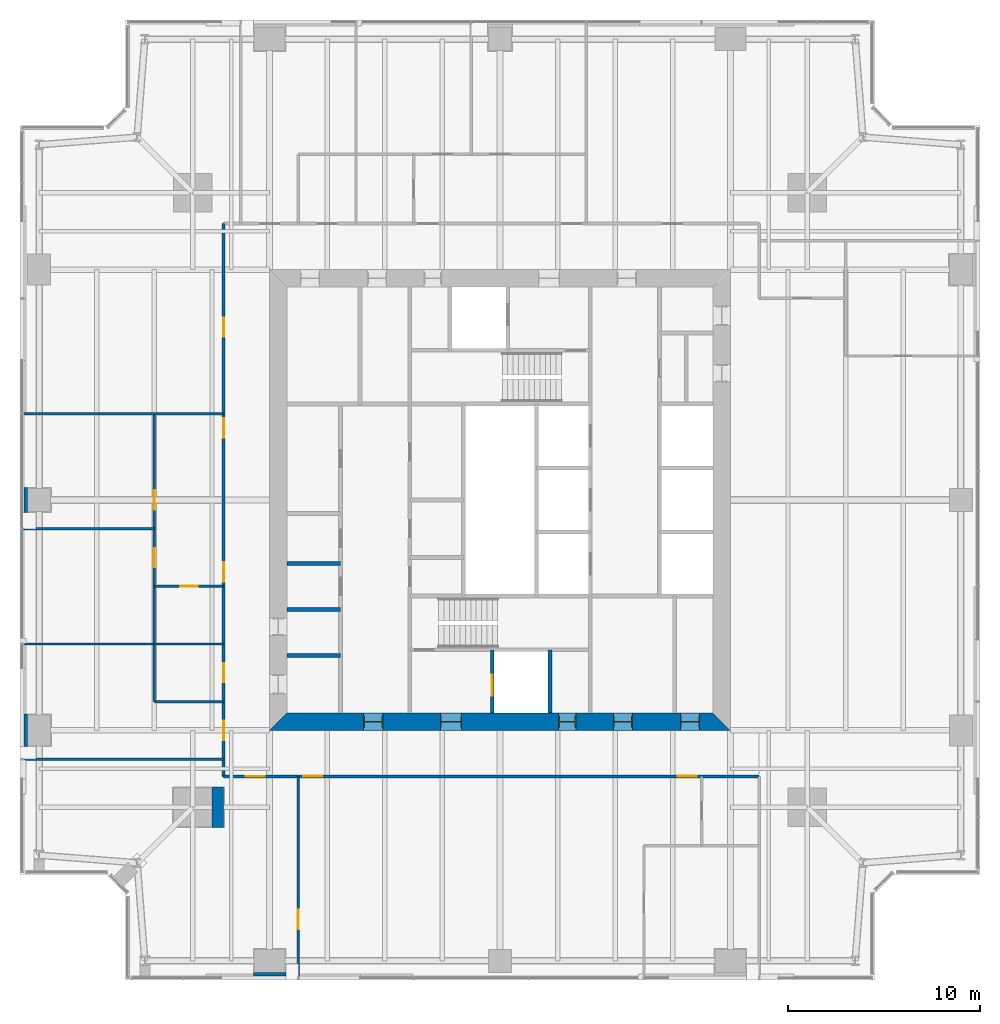
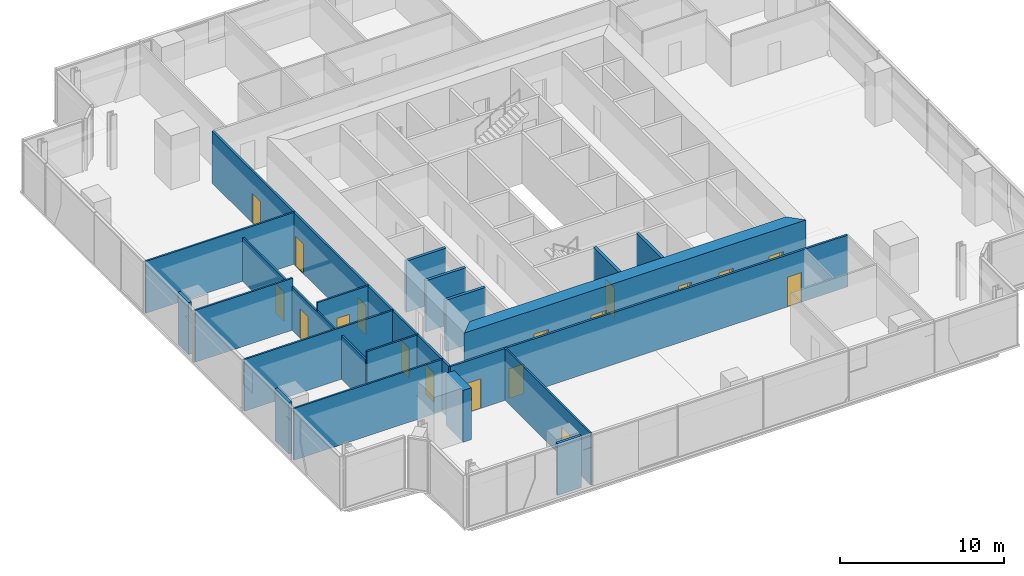
# One storey, part 9 of 14: 21 walls, 18 doors, 18 openings.
"""IFC4 building model written with IfcOpenShell, lengths in metres."""

from ifc_helpers import new_model, si_unit, direction, frame, frame_2d, origin, place, context, subcontext, project, spatial, polyline, rectangle, outline, extrude, material, layer, layer_set, type_object, element, fill, save


model = new_model("IFC4")

# Units and contexts
model_context = context("Model", 3, precision=1e-05, world=origin(), true_north=direction((0.0, 1.0)))
body_context = subcontext(model_context, "Body", "Model", "MODEL_VIEW")
ifc_project = project(units=[si_unit("LENGTHUNIT", "METRE"), si_unit("AREAUNIT", "SQUARE_METRE"), si_unit("VOLUMEUNIT", "CUBIC_METRE"), si_unit("PLANEANGLEUNIT", "RADIAN"), si_unit("MASSUNIT", "GRAM", prefix="KILO")], contexts=[model_context])

# Site, building, storey
site_placement = place(None, origin())
site = spatial("IfcSite", under=ifc_project, at=site_placement, CompositionType="ELEMENT")
building_placement = place(site_placement, origin())
building = spatial("IfcBuilding", under=site, at=building_placement, Name="Fenwick Lantern Interchange", CompositionType="ELEMENT")
storey_placement = place(building_placement, frame((0.0, 0.0, 197.800048828125)))
storey = spatial("IfcBuildingStorey", under=building, at=storey_placement, Name="L46", CompositionType="ELEMENT", Elevation=197.800048828125)

# Walls
ifc_material_1 = material(Name="Fire-rated gypsum board encasement on steel studs, 2 hour", Category="steel")
ifc_layer_1 = layer(ifc_material_1, 1.300048828125)
ifc_layer_set_1 = layer_set([ifc_layer_1], Name="COLUMN PIER 1300")
wall_type_1 = type_object("IfcWallType", Name="COLUMN PIER 1300", PredefinedType="PARTITIONING", material=ifc_layer_set_1)
wall_1_placement = place(storey_placement, frame((0.199951171875, 25.0, 0.0), z_axis=(0.0, 0.0, 1.0), x_axis=(1.0, 0.0, 0.0)))
element("IfcWall", 1, at=wall_1_placement, inside=storey, type_object=wall_type_1, Name="L46/W/PIER/CW3", PredefinedType="PARTITIONING", context=body_context, shape_type="SweptSolid", body=[
    extrude(rectangle(XDim=0.199951171875, YDim=1.300048828125, at=frame_2d((0.10009765625, 0.0))), origin(), (0.0, 0.0, 1.0), 3.849853515625),
])
ifc_layer_2 = layer(ifc_material_1, 1.699951171875)
ifc_layer_set_2 = layer_set([ifc_layer_2], Name="COLUMN PIER 1700")
wall_type_2 = type_object("IfcWallType", Name="COLUMN PIER 1700", PredefinedType="PARTITIONING", material=ifc_layer_set_2)
for number, where, z_axis, x_axis, name in (
    (2, (13.0, 0.199951171875, 0.0), (0.0, 0.0, 1.0), (0.0, 1.0, 0.0), "L46/W/PIER/CS2"),
    (3, (0.199951171875, 13.0, 0.0), (0.0, 0.0, 1.0), (1.0, 0.0, 0.0), "L46/W/PIER/CW4"),
):
    element("IfcWall", number, at=place(storey_placement, frame(where, z_axis=z_axis, x_axis=x_axis)), inside=storey, type_object=wall_type_2, Name=name, PredefinedType="PARTITIONING", context=body_context, shape_type="SweptSolid", body=[
        extrude(rectangle(XDim=0.199951171875, YDim=1.699951171875, at=frame_2d((0.10009765625, 0.0))), origin(), (0.0, 0.0, 1.0), 3.849853515625),
    ])
ifc_layer_3 = layer(ifc_material_1, 2.10009765625)
ifc_layer_set_3 = layer_set([ifc_layer_3], Name="COLUMN PIER 2100")
wall_type_3 = type_object("IfcWallType", Name="COLUMN PIER 2100", PredefinedType="PARTITIONING", material=ifc_layer_set_3)
wall_2_placement = place(storey_placement, frame((10.60009765625, 9.0, 0.0), z_axis=(0.0, 0.0, 1.0), x_axis=(-1.0, 0.0, 0.0)))
element("IfcWall", 4, at=wall_2_placement, inside=storey, type_object=wall_type_3, Name="L46/W/PIER/M1", PredefinedType="PARTITIONING", context=body_context, shape_type="SweptSolid", body=[
    extrude(rectangle(XDim=0.60009765625, YDim=2.10009765625, at=frame_2d((0.300048828125, 0.0))), origin(), (0.0, 0.0, 1.0), 3.849853515625),
])

# Wall, opening, door
ifc_material_2 = material(Name="Concrete masonry ASTM C90 Grade N", Category="masonry")
ifc_layer_4 = layer(ifc_material_2, 0.199951171875)
ifc_layer_set_4 = layer_set([ifc_layer_4], Name="Concrete masonry ASTM C90 Grade N")
wall_type_4 = type_object("IfcWallType", Name="CORE PARTITION 200", PredefinedType="PARTITIONING", material=ifc_layer_set_4)
wall_3_placement = place(storey_placement, frame((24.60009765625, 13.89990234375, 0.0), z_axis=(0.0, 0.0, 1.0), x_axis=(0.0, 1.0, 0.0)))
wall_3 = element("IfcWall", 5, at=wall_3_placement, inside=storey, type_object=wall_type_4, Name="L46/W/CORES/h1", PredefinedType="PARTITIONING", context=body_context, shape_type="SweptSolid", body=[
    extrude(rectangle(XDim=3.300048828125, YDim=0.199951171875, at=frame_2d((1.64990234375, 0.0))), origin(), (0.0, 0.0, 1.0), 3.800048828125),
])
opening_1_placement = place(wall_3_placement, frame((0.89990234375, 0.0, 0.0)))
opening_1 = element("IfcOpeningElement", 6, at=opening_1_placement, cuts=wall_3, Name="Opening LD-FL1", PredefinedType="OPENING", context=body_context, shape_type="SweptSolid", body=[
    extrude(rectangle(XDim=1.10009765625, YDim=2.199951171875, at=frame_2d((0.550048828125, 1.10009765625))), frame((0.0, 0.10986328125, 0.0), z_axis=(0.0, -1.0, 0.0), x_axis=(1.0, 0.0, 0.0)), (0.0, 0.0, 1.0), 0.219970703125),
])
ifc_material_3 = material(Name="Steel door and frame", Category="steel")
door_type_1 = type_object("IfcDoorType", Name="LIFT LANDING DOOR 1100 X 2200", OperationType="DOUBLE_DOOR_SLIDING", PredefinedType="DOOR", material=ifc_material_3)
door_1_placement = place(opening_1_placement, origin())
door_1 = element("IfcDoor", 7, at=door_1_placement, inside=storey, type_object=door_type_1, Name="Lift landing door FL1", OperationType="DOUBLE_DOOR_SLIDING", OverallHeight=2.199951171875, OverallWidth=1.10009765625, PredefinedType="DOOR", context=body_context, shape_type="SweptSolid", body=[
    extrude(rectangle(XDim=1.10009765625, YDim=2.199951171875, at=frame_2d((0.550048828125, 1.10009765625))), frame((0.0, 0.02490234375, 0.0), z_axis=(0.0, -1.0, 0.0), x_axis=(1.0, 0.0, 0.0)), (0.0, 0.0, 1.0), 0.050048828125),
])
fill(opening_1, door_1)

# Walls
wall_4_placement = place(storey_placement, frame((27.60009765625, 13.89990234375, 0.0), z_axis=(0.0, 0.0, 1.0), x_axis=(0.0, 1.0, 0.0)))
element("IfcWall", 8, at=wall_4_placement, inside=storey, type_object=wall_type_4, Name="L46/W/CORES/h2", PredefinedType="PARTITIONING", context=body_context, shape_type="SweptSolid", body=[
    extrude(rectangle(XDim=3.300048828125, YDim=0.199951171875, at=frame_2d((1.64990234375, 0.0))), origin(), (0.0, 0.0, 1.0), 3.800048828125),
])
for number, where, z_axis, x_axis, name in (
    (9, (13.89990234375, 16.89990234375, 0.0), (0.0, 0.0, 1.0), (1.0, 0.0, 0.0), "L46/W/CORES/p1"),
    (10, (13.89990234375, 19.300048828125, 0.0), (0.0, 0.0, 1.0), (1.0, 0.0, 0.0), "L46/W/CORES/p2"),
    (11, (13.89990234375, 21.699951171875, 0.0), (0.0, 0.0, 1.0), (1.0, 0.0, 0.0), "L46/W/CORES/p3"),
):
    element("IfcWall", number, at=place(storey_placement, frame(where, z_axis=z_axis, x_axis=x_axis)), inside=storey, type_object=wall_type_4, Name=name, PredefinedType="PARTITIONING", context=body_context, shape_type="SweptSolid", body=[
        extrude(rectangle(XDim=2.800048828125, YDim=0.199951171875, at=frame_2d((1.39990234375, 0.0))), origin(), (0.0, 0.0, 1.0), 3.800048828125),
    ])

# Wall, openings, doors
ifc_material_4 = material(Name="Concrete f'c 70 MPa", Category="concrete")
ifc_layer_5 = layer(ifc_material_4, 0.89990234375)
ifc_layer_set_5 = layer_set([ifc_layer_5], Name="CORE WALL 900")
wall_type_5 = type_object("IfcWallType", Name="CORE WALL 900", PredefinedType="SHEAR", material=ifc_layer_set_5)
wall_5_placement = place(storey_placement, frame((13.0, 13.449951171875, 0.0), z_axis=(0.0, 0.0, 1.0), x_axis=(1.0, 0.0, 0.0)))
wall_5 = element("IfcWall", 12, at=wall_5_placement, inside=storey, type_object=wall_type_5, Name="L46/CORE/S", PredefinedType="SHEAR", context=body_context, shape_type="SweptSolid", body=[
    extrude(outline(polyline([(0.0, -0.449951171875), (24.0, -0.449951171875), (23.10009765625, 0.449951171875), (0.89990234375, 0.449951171875), (0.0, -0.449951171875)])), origin(), (0.0, 0.0, 1.0), 4.0),
])
opening_2_placement = place(wall_5_placement, frame((4.89990234375, 0.0, 0.0)))
opening_2 = element("IfcOpeningElement", 13, at=opening_2_placement, cuts=wall_5, Name="Opening L46-D001", PredefinedType="OPENING", context=body_context, shape_type="SweptSolid", body=[
    extrude(rectangle(XDim=1.0, YDim=2.199951171875, at=frame_2d((0.5, 1.10009765625))), frame((0.0, 0.4599609375, 0.0), z_axis=(0.0, -1.0, 0.0), x_axis=(1.0, 0.0, 0.0)), (0.0, 0.0, 1.0), 0.919921875),
])
opening_3_placement = place(wall_5_placement, frame((8.89990234375, 0.0, 0.0)))
opening_3 = element("IfcOpeningElement", 14, at=opening_3_placement, cuts=wall_5, Name="Opening L46-D002", PredefinedType="OPENING", context=body_context, shape_type="SweptSolid", body=[
    extrude(rectangle(XDim=1.10009765625, YDim=2.199951171875, at=frame_2d((0.550048828125, 1.10009765625))), frame((0.0, 0.4599609375, 0.0), z_axis=(0.0, -1.0, 0.0), x_axis=(1.0, 0.0, 0.0)), (0.0, 0.0, 1.0), 0.919921875),
])
opening_4_placement = place(wall_5_placement, frame((15.050048828125, 0.0, 0.0)))
opening_4 = element("IfcOpeningElement", 15, at=opening_4_placement, cuts=wall_5, Name="Opening L46-D004", PredefinedType="OPENING", context=body_context, shape_type="SweptSolid", body=[
    extrude(rectangle(XDim=0.89990234375, YDim=2.199951171875, at=frame_2d((0.449951171875, 1.10009765625))), frame((0.0, 0.4599609375, 0.0), z_axis=(0.0, -1.0, 0.0), x_axis=(1.0, 0.0, 0.0)), (0.0, 0.0, 1.0), 0.919921875),
])
opening_5_placement = place(wall_5_placement, frame((17.89990234375, 0.0, 0.0)))
opening_5 = element("IfcOpeningElement", 16, at=opening_5_placement, cuts=wall_5, Name="Opening L46-D005", PredefinedType="OPENING", context=body_context, shape_type="SweptSolid", body=[
    extrude(rectangle(XDim=1.0, YDim=2.199951171875, at=frame_2d((0.5, 1.10009765625))), frame((0.0, 0.4599609375, 0.0), z_axis=(0.0, -1.0, 0.0), x_axis=(1.0, 0.0, 0.0)), (0.0, 0.0, 1.0), 0.919921875),
])
opening_6_placement = place(wall_5_placement, frame((21.39990234375, 0.0, 0.0)))
opening_6 = element("IfcOpeningElement", 17, at=opening_6_placement, cuts=wall_5, Name="Opening L46-D006", PredefinedType="OPENING", context=body_context, shape_type="SweptSolid", body=[
    extrude(rectangle(XDim=1.0, YDim=2.199951171875, at=frame_2d((0.5, 1.10009765625))), frame((0.0, 0.4599609375, 0.0), z_axis=(0.0, -1.0, 0.0), x_axis=(1.0, 0.0, 0.0)), (0.0, 0.0, 1.0), 0.919921875),
])
door_type_2 = type_object("IfcDoorType", Name="CORE LOBBY DOOR 1000 X 2200", OperationType="SINGLE_SWING_LEFT", PredefinedType="DOOR", material=ifc_material_3)
door_2_placement = place(opening_2_placement, origin())
door_2 = element("IfcDoor", 18, at=door_2_placement, inside=storey, type_object=door_type_2, Name="Core lobby door", OperationType="SINGLE_SWING_LEFT", OverallHeight=2.199951171875, OverallWidth=1.0, PredefinedType="DOOR", context=body_context, shape_type="SweptSolid", body=[
    extrude(rectangle(XDim=1.0, YDim=2.199951171875, at=frame_2d((0.5, 1.10009765625))), frame((0.0, 0.02490234375, 0.0), z_axis=(0.0, -1.0, 0.0), x_axis=(1.0, 0.0, 0.0)), (0.0, 0.0, 1.0), 0.050048828125),
    extrude(outline(polyline([(0.0, 0.0), (0.0400390625, 0.0), (0.0400390625, 2.159912109375), (0.9599609375, 2.159912109375), (0.9599609375, 0.0), (1.0, 0.0), (1.0, 2.199951171875), (0.0, 2.199951171875), (0.0, 0.0)])), frame((0.0, 0.300048828125, 0.0), z_axis=(0.0, -1.0, 0.0), x_axis=(1.0, 0.0, 0.0)), (0.0, 0.0, 1.0), 0.60009765625),
])
fill(opening_2, door_2)
door_type_3 = type_object("IfcDoorType", Name="FIRE LOBBY DOOR 1100 X 2200", OperationType="SINGLE_SWING_LEFT", PredefinedType="DOOR", material=ifc_material_3)
door_3_placement = place(opening_3_placement, origin())
door_3 = element("IfcDoor", 19, at=door_3_placement, inside=storey, type_object=door_type_3, Name="Fire lobby door", OperationType="SINGLE_SWING_LEFT", OverallHeight=2.199951171875, OverallWidth=1.10009765625, PredefinedType="DOOR", context=body_context, shape_type="SweptSolid", body=[
    extrude(rectangle(XDim=1.10009765625, YDim=2.199951171875, at=frame_2d((0.550048828125, 1.10009765625))), frame((0.0, 0.02490234375, 0.0), z_axis=(0.0, -1.0, 0.0), x_axis=(1.0, 0.0, 0.0)), (0.0, 0.0, 1.0), 0.050048828125),
    extrude(outline(polyline([(0.0, 0.0), (0.0400390625, 0.0), (0.0400390625, 2.159912109375), (1.06005859375, 2.159912109375), (1.06005859375, 0.0), (1.10009765625, 0.0), (1.10009765625, 2.199951171875), (0.0, 2.199951171875), (0.0, 0.0)])), frame((0.0, 0.300048828125, 0.0), z_axis=(0.0, -1.0, 0.0), x_axis=(1.0, 0.0, 0.0)), (0.0, 0.0, 1.0), 0.60009765625),
])
fill(opening_3, door_3)
door_type_4 = type_object("IfcDoorType", Name="SERVICE DOOR 900 X 2200", OperationType="SINGLE_SWING_LEFT", PredefinedType="DOOR", material=ifc_material_3)
door_4_placement = place(opening_4_placement, origin())
door_4 = element("IfcDoor", 20, at=door_4_placement, inside=storey, type_object=door_type_4, Name="Service door", OperationType="SINGLE_SWING_LEFT", OverallHeight=2.199951171875, OverallWidth=0.89990234375, PredefinedType="DOOR", context=body_context, shape_type="SweptSolid", body=[
    extrude(rectangle(XDim=0.89990234375, YDim=2.199951171875, at=frame_2d((0.449951171875, 1.10009765625))), frame((0.0, 0.02490234375, 0.0), z_axis=(0.0, -1.0, 0.0), x_axis=(1.0, 0.0, 0.0)), (0.0, 0.0, 1.0), 0.050048828125),
    extrude(outline(polyline([(0.0, 0.0), (0.0400390625, 0.0), (0.0400390625, 2.159912109375), (0.85986328125, 2.159912109375), (0.85986328125, 0.0), (0.89990234375, 0.0), (0.89990234375, 2.199951171875), (0.0, 2.199951171875), (0.0, 0.0)])), frame((0.0, 0.300048828125, 0.0), z_axis=(0.0, -1.0, 0.0), x_axis=(1.0, 0.0, 0.0)), (0.0, 0.0, 1.0), 0.60009765625),
])
fill(opening_4, door_4)
ifc_material_5 = material(Name="Hardwood door and steel frame", Category="steel")
door_type_5 = type_object("IfcDoorType", Name="WC DOOR 1000 X 2200", OperationType="SINGLE_SWING_LEFT", PredefinedType="DOOR", material=ifc_material_5)
door_5_placement = place(opening_5_placement, origin())
door_5 = element("IfcDoor", 21, at=door_5_placement, inside=storey, type_object=door_type_5, Name="Wc door", OperationType="SINGLE_SWING_LEFT", OverallHeight=2.199951171875, OverallWidth=1.0, PredefinedType="DOOR", context=body_context, shape_type="SweptSolid", body=[
    extrude(rectangle(XDim=1.0, YDim=2.199951171875, at=frame_2d((0.5, 1.10009765625))), frame((0.0, 0.02490234375, 0.0), z_axis=(0.0, -1.0, 0.0), x_axis=(1.0, 0.0, 0.0)), (0.0, 0.0, 1.0), 0.050048828125),
    extrude(outline(polyline([(0.0, 0.0), (0.0400390625, 0.0), (0.0400390625, 2.159912109375), (0.9599609375, 2.159912109375), (0.9599609375, 0.0), (1.0, 0.0), (1.0, 2.199951171875), (0.0, 2.199951171875), (0.0, 0.0)])), frame((0.0, 0.300048828125, 0.0), z_axis=(0.0, -1.0, 0.0), x_axis=(1.0, 0.0, 0.0)), (0.0, 0.0, 1.0), 0.60009765625),
])
fill(opening_5, door_5)
door_6_placement = place(opening_6_placement, origin())
door_6 = element("IfcDoor", 22, at=door_6_placement, inside=storey, type_object=door_type_5, Name="Wc door", OperationType="SINGLE_SWING_LEFT", OverallHeight=2.199951171875, OverallWidth=1.0, PredefinedType="DOOR", context=body_context, shape_type="SweptSolid", body=[
    extrude(rectangle(XDim=1.0, YDim=2.199951171875, at=frame_2d((0.5, 1.10009765625))), frame((0.0, 0.02490234375, 0.0), z_axis=(0.0, -1.0, 0.0), x_axis=(1.0, 0.0, 0.0)), (0.0, 0.0, 1.0), 0.050048828125),
    extrude(outline(polyline([(0.0, 0.0), (0.0400390625, 0.0), (0.0400390625, 2.159912109375), (0.9599609375, 2.159912109375), (0.9599609375, 0.0), (1.0, 0.0), (1.0, 2.199951171875), (0.0, 2.199951171875), (0.0, 0.0)])), frame((0.0, 0.300048828125, 0.0), z_axis=(0.0, -1.0, 0.0), x_axis=(1.0, 0.0, 0.0)), (0.0, 0.0, 1.0), 0.60009765625),
])
fill(opening_6, door_6)

ifc_material_6 = material(Name="Gypsum board on steel studs, 1 hour", Category="steel")
ifc_layer_6 = layer(ifc_material_6, 0.14990234375)
ifc_layer_set_6 = layer_set([ifc_layer_6], Name="CORRIDOR WALL 150")
wall_type_6 = type_object("IfcWallType", Name="CORRIDOR WALL 150", PredefinedType="PARTITIONING", material=ifc_layer_set_6)
wall_6_placement = place(storey_placement, frame((10.60009765625, 10.60009765625, 0.0), z_axis=(0.0, 0.0, 1.0), x_axis=(1.0, 0.0, 0.0)))
wall_6 = element("IfcWall", 23, at=wall_6_placement, inside=storey, type_object=wall_type_6, Name="L46/W/OFF/S/CW2", PredefinedType="PARTITIONING", context=body_context, shape_type="SweptSolid", body=[
    extrude(rectangle(XDim=27.89990234375, YDim=0.14990234375, at=frame_2d((13.949951171875, 0.0))), origin(), (0.0, 0.0, 1.0), 3.849853515625),
])
opening_7_placement = place(wall_6_placement, frame((4.14990234375, 0.0, 0.0)))
opening_7 = element("IfcOpeningElement", 24, at=opening_7_placement, cuts=wall_6, Name="Opening L46-D024", PredefinedType="OPENING", context=body_context, shape_type="SweptSolid", body=[
    extrude(rectangle(XDim=1.0, YDim=2.199951171875, at=frame_2d((0.5, 1.10009765625))), frame((0.0, 0.0849609375, 0.0), z_axis=(0.0, -1.0, 0.0), x_axis=(1.0, 0.0, 0.0)), (0.0, 0.0, 1.0), 0.169921875),
])
opening_8_placement = place(wall_6_placement, frame((23.64990234375, 0.0, 0.0)))
opening_8 = element("IfcOpeningElement", 25, at=opening_8_placement, cuts=wall_6, Name="Opening L46-D025", PredefinedType="OPENING", context=body_context, shape_type="SweptSolid", body=[
    extrude(rectangle(XDim=1.0, YDim=2.199951171875, at=frame_2d((0.5, 1.10009765625))), frame((0.0, 0.0849609375, 0.0), z_axis=(0.0, -1.0, 0.0), x_axis=(1.0, 0.0, 0.0)), (0.0, 0.0, 1.0), 0.169921875),
])
opening_9_placement = place(wall_6_placement, frame((1.14990234375, 0.0, 0.0)))
opening_9 = element("IfcOpeningElement", 26, at=opening_9_placement, cuts=wall_6, Name="Opening L46-D027", PredefinedType="OPENING", context=body_context, shape_type="SweptSolid", body=[
    extrude(rectangle(XDim=1.0, YDim=2.199951171875, at=frame_2d((0.5, 1.10009765625))), frame((0.0, 0.0849609375, 0.0), z_axis=(0.0, -1.0, 0.0), x_axis=(1.0, 0.0, 0.0)), (0.0, 0.0, 1.0), 0.169921875),
])
door_type_6 = type_object("IfcDoorType", Name="MEETING ROOM DOOR 1000 X 2200", OperationType="SINGLE_SWING_LEFT", PredefinedType="DOOR", material=ifc_material_5)
door_7_placement = place(opening_9_placement, origin())
door_7 = element("IfcDoor", 27, at=door_7_placement, inside=storey, type_object=door_type_6, Name="Meeting room door", OperationType="SINGLE_SWING_LEFT", OverallHeight=2.199951171875, OverallWidth=1.0, PredefinedType="DOOR", context=body_context, shape_type="SweptSolid", body=[
    extrude(rectangle(XDim=1.0, YDim=2.199951171875, at=frame_2d((0.5, 1.10009765625))), frame((0.0, 0.02490234375, 0.0), z_axis=(0.0, -1.0, 0.0), x_axis=(1.0, 0.0, 0.0)), (0.0, 0.0, 1.0), 0.050048828125),
])
fill(opening_9, door_7)
door_type_7 = type_object("IfcDoorType", Name="SUITE ENTRANCE DOOR 1000 X 2200", OperationType="SINGLE_SWING_LEFT", PredefinedType="DOOR", material=ifc_material_3)
door_8_placement = place(opening_7_placement, frame((1.0, 0.0, 0.0), z_axis=(0.0, 0.0, 1.0), x_axis=(-1.0, 0.0, 0.0)))
door_8 = element("IfcDoor", 28, at=door_8_placement, inside=storey, type_object=door_type_7, Name="Suite entrance door", OperationType="SINGLE_SWING_RIGHT", OverallHeight=2.199951171875, OverallWidth=1.0, PredefinedType="DOOR", context=body_context, shape_type="SweptSolid", body=[
    extrude(rectangle(XDim=1.0, YDim=2.199951171875, at=frame_2d((0.5, 1.10009765625))), frame((0.0, 0.02490234375, 0.0), z_axis=(0.0, -1.0, 0.0), x_axis=(1.0, 0.0, 0.0)), (0.0, 0.0, 1.0), 0.050048828125),
])
fill(opening_7, door_8)
door_9_placement = place(opening_8_placement, frame((1.0, 0.0, 0.0), z_axis=(0.0, 0.0, 1.0), x_axis=(-1.0, 0.0, 0.0)))
door_9 = element("IfcDoor", 29, at=door_9_placement, inside=storey, type_object=door_type_7, Name="Suite entrance door", OperationType="SINGLE_SWING_LEFT", OverallHeight=2.199951171875, OverallWidth=1.0, PredefinedType="DOOR", context=body_context, shape_type="SweptSolid", body=[
    extrude(rectangle(XDim=1.0, YDim=2.199951171875, at=frame_2d((0.5, 1.10009765625))), frame((0.0, 0.02490234375, 0.0), z_axis=(0.0, -1.0, 0.0), x_axis=(1.0, 0.0, 0.0)), (0.0, 0.0, 1.0), 0.050048828125),
])
fill(opening_8, door_9)

wall_7_placement = place(storey_placement, frame((10.60009765625, 39.39990234375, 0.0), z_axis=(0.0, 0.0, 1.0), x_axis=(0.0, -1.0, 0.0)))
wall_7 = element("IfcWall", 30, at=wall_7_placement, inside=storey, type_object=wall_type_6, Name="L46/W/OFF/W/CW2", PredefinedType="PARTITIONING", context=body_context, shape_type="SweptSolid", body=[
    extrude(rectangle(XDim=28.7998046875, YDim=0.14990234375, at=frame_2d((14.39990234375, 0.0))), origin(), (0.0, 0.0, 1.0), 3.849853515625),
])
opening_10_placement = place(wall_7_placement, frame((10.14990234375, 0.0, 0.0)))
opening_10 = element("IfcOpeningElement", 31, at=opening_10_placement, cuts=wall_7, Name="Opening L46-D040", PredefinedType="OPENING", context=body_context, shape_type="SweptSolid", body=[
    extrude(rectangle(XDim=1.0, YDim=2.199951171875, at=frame_2d((0.5, 1.10009765625))), frame((0.0, 0.0849609375, 0.0), z_axis=(0.0, -1.0, 0.0), x_axis=(1.0, 0.0, 0.0)), (0.0, 0.0, 1.0), 0.169921875),
])
opening_11_placement = place(wall_7_placement, frame((17.64990234375, 0.0, 0.0)))
opening_11 = element("IfcOpeningElement", 32, at=opening_11_placement, cuts=wall_7, Name="Opening L46-D041", PredefinedType="OPENING", context=body_context, shape_type="SweptSolid", body=[
    extrude(rectangle(XDim=1.0, YDim=2.199951171875, at=frame_2d((0.5, 1.10009765625))), frame((0.0, 0.0849609375, 0.0), z_axis=(0.0, -1.0, 0.0), x_axis=(1.0, 0.0, 0.0)), (0.0, 0.0, 1.0), 0.169921875),
])
opening_12_placement = place(wall_7_placement, frame((4.89990234375, 0.0, 0.0)))
opening_12 = element("IfcOpeningElement", 33, at=opening_12_placement, cuts=wall_7, Name="Opening L46-D045", PredefinedType="OPENING", context=body_context, shape_type="SweptSolid", body=[
    extrude(rectangle(XDim=1.0, YDim=2.199951171875, at=frame_2d((0.5, 1.10009765625))), frame((0.0, 0.0849609375, 0.0), z_axis=(0.0, -1.0, 0.0), x_axis=(1.0, 0.0, 0.0)), (0.0, 0.0, 1.0), 0.169921875),
])
opening_13_placement = place(wall_7_placement, frame((22.89990234375, 0.0, 0.0)))
opening_13 = element("IfcOpeningElement", 34, at=opening_13_placement, cuts=wall_7, Name="Opening L46-D046", PredefinedType="OPENING", context=body_context, shape_type="SweptSolid", body=[
    extrude(rectangle(XDim=1.0, YDim=2.199951171875, at=frame_2d((0.5, 1.10009765625))), frame((0.0, 0.0849609375, 0.0), z_axis=(0.0, -1.0, 0.0), x_axis=(1.0, 0.0, 0.0)), (0.0, 0.0, 1.0), 0.169921875),
])
opening_14_placement = place(wall_7_placement, frame((25.89990234375, 0.0, 0.0)))
opening_14 = element("IfcOpeningElement", 35, at=opening_14_placement, cuts=wall_7, Name="Opening L46-D047", PredefinedType="OPENING", context=body_context, shape_type="SweptSolid", body=[
    extrude(rectangle(XDim=1.0, YDim=2.199951171875, at=frame_2d((0.5, 1.10009765625))), frame((0.0, 0.0849609375, 0.0), z_axis=(0.0, -1.0, 0.0), x_axis=(1.0, 0.0, 0.0)), (0.0, 0.0, 1.0), 0.169921875),
])
door_10_placement = place(opening_10_placement, origin())
door_10 = element("IfcDoor", 36, at=door_10_placement, inside=storey, type_object=door_type_7, Name="Suite entrance door", OperationType="SINGLE_SWING_LEFT", OverallHeight=2.199951171875, OverallWidth=1.0, PredefinedType="DOOR", context=body_context, shape_type="SweptSolid", body=[
    extrude(rectangle(XDim=1.0, YDim=2.199951171875, at=frame_2d((0.5, 1.10009765625))), frame((0.0, 0.02490234375, 0.0), z_axis=(0.0, -1.0, 0.0), x_axis=(1.0, 0.0, 0.0)), (0.0, 0.0, 1.0), 0.050048828125),
])
fill(opening_10, door_10)
door_11_placement = place(opening_11_placement, origin())
door_11 = element("IfcDoor", 37, at=door_11_placement, inside=storey, type_object=door_type_7, Name="Suite entrance door", OperationType="SINGLE_SWING_RIGHT", OverallHeight=2.199951171875, OverallWidth=1.0, PredefinedType="DOOR", context=body_context, shape_type="SweptSolid", body=[
    extrude(rectangle(XDim=1.0, YDim=2.199951171875, at=frame_2d((0.5, 1.10009765625))), frame((0.0, 0.02490234375, 0.0), z_axis=(0.0, -1.0, 0.0), x_axis=(1.0, 0.0, 0.0)), (0.0, 0.0, 1.0), 0.050048828125),
])
fill(opening_11, door_11)
door_12_placement = place(opening_12_placement, frame((1.0, 0.0, 0.0), z_axis=(0.0, 0.0, 1.0), x_axis=(-1.0, 0.0, 0.0)))
door_12 = element("IfcDoor", 38, at=door_12_placement, inside=storey, type_object=door_type_7, Name="Suite entrance door", OperationType="SINGLE_SWING_LEFT", OverallHeight=2.199951171875, OverallWidth=1.0, PredefinedType="DOOR", context=body_context, shape_type="SweptSolid", body=[
    extrude(rectangle(XDim=1.0, YDim=2.199951171875, at=frame_2d((0.5, 1.10009765625))), frame((0.0, 0.02490234375, 0.0), z_axis=(0.0, -1.0, 0.0), x_axis=(1.0, 0.0, 0.0)), (0.0, 0.0, 1.0), 0.050048828125),
])
fill(opening_12, door_12)
door_13_placement = place(opening_13_placement, frame((1.0, 0.0, 0.0), z_axis=(0.0, 0.0, 1.0), x_axis=(-1.0, 0.0, 0.0)))
door_13 = element("IfcDoor", 39, at=door_13_placement, inside=storey, type_object=door_type_7, Name="Suite entrance door", OperationType="SINGLE_SWING_RIGHT", OverallHeight=2.199951171875, OverallWidth=1.0, PredefinedType="DOOR", context=body_context, shape_type="SweptSolid", body=[
    extrude(rectangle(XDim=1.0, YDim=2.199951171875, at=frame_2d((0.5, 1.10009765625))), frame((0.0, 0.02490234375, 0.0), z_axis=(0.0, -1.0, 0.0), x_axis=(1.0, 0.0, 0.0)), (0.0, 0.0, 1.0), 0.050048828125),
])
fill(opening_13, door_13)
door_14_placement = place(opening_14_placement, frame((1.0, 0.0, 0.0), z_axis=(0.0, 0.0, 1.0), x_axis=(-1.0, 0.0, 0.0)))
door_14 = element("IfcDoor", 40, at=door_14_placement, inside=storey, type_object=door_type_7, Name="Suite entrance door", OperationType="SINGLE_SWING_RIGHT", OverallHeight=2.199951171875, OverallWidth=1.0, PredefinedType="DOOR", context=body_context, shape_type="SweptSolid", body=[
    extrude(rectangle(XDim=1.0, YDim=2.199951171875, at=frame_2d((0.5, 1.10009765625))), frame((0.0, 0.02490234375, 0.0), z_axis=(0.0, -1.0, 0.0), x_axis=(1.0, 0.0, 0.0)), (0.0, 0.0, 1.0), 0.050048828125),
])
fill(opening_14, door_14)

# Wall
ifc_material_7 = material(Name="Gypsum board on steel studs, acoustic", Category="steel")
ifc_layer_7 = layer(ifc_material_7, 0.125)
ifc_layer_set_7 = layer_set([ifc_layer_7], Name="OFFICE PARTITION 125")
wall_type_7 = type_object("IfcWallType", Name="OFFICE PARTITION 125", PredefinedType="PARTITIONING", material=ifc_layer_set_7)
wall_8_placement = place(storey_placement, frame((0.14990234375, 11.5, 0.0), z_axis=(0.0, 0.0, 1.0), x_axis=(1.0, 0.0, 0.0)))
element("IfcWall", 41, at=wall_8_placement, inside=storey, type_object=wall_type_7, Name="L46/W/OFF/S/BACK", PredefinedType="PARTITIONING", context=body_context, shape_type="SweptSolid", body=[
    extrude(rectangle(XDim=10.4501953125, YDim=0.125, at=frame_2d((5.22509765625, 0.0))), origin(), (0.0, 0.0, 1.0), 3.849853515625),
])

# Wall, opening, door
wall_9_placement = place(storey_placement, frame((14.5, 0.14990234375, 0.0), z_axis=(0.0, 0.0, 1.0), x_axis=(0.0, 1.0, 0.0)))
wall_9 = element("IfcWall", 42, at=wall_9_placement, inside=storey, type_object=wall_type_7, Name="L46/W/OFF/S/X145-1", PredefinedType="PARTITIONING", context=body_context, shape_type="SweptSolid", body=[
    extrude(rectangle(XDim=10.4501953125, YDim=0.125, at=frame_2d((5.22509765625, 0.0))), origin(), (0.0, 0.0, 1.0), 3.849853515625),
])
opening_15_placement = place(wall_9_placement, frame((2.5, 0.0, 0.0)))
opening_15 = element("IfcOpeningElement", 43, at=opening_15_placement, cuts=wall_9, Name="Opening L46-D026", PredefinedType="OPENING", context=body_context, shape_type="SweptSolid", body=[
    extrude(rectangle(XDim=1.0, YDim=2.199951171875, at=frame_2d((0.5, 1.10009765625))), frame((0.0, 0.072509765625, 0.0), z_axis=(0.0, -1.0, 0.0), x_axis=(1.0, 0.0, 0.0)), (0.0, 0.0, 1.0), 0.14501953125),
])
door_15_placement = place(opening_15_placement, frame((1.0, 0.0, 0.0), z_axis=(0.0, 0.0, 1.0), x_axis=(-1.0, 0.0, 0.0)))
door_15 = element("IfcDoor", 44, at=door_15_placement, inside=storey, type_object=door_type_6, Name="Meeting room door", OperationType="SINGLE_SWING_RIGHT", OverallHeight=2.199951171875, OverallWidth=1.0, PredefinedType="DOOR", context=body_context, shape_type="SweptSolid", body=[
    extrude(rectangle(XDim=1.0, YDim=2.199951171875, at=frame_2d((0.5, 1.10009765625))), frame((0.0, 0.02490234375, 0.0), z_axis=(0.0, -1.0, 0.0), x_axis=(1.0, 0.0, 0.0)), (0.0, 0.0, 1.0), 0.050048828125),
])
fill(opening_15, door_15)

# Walls
wall_10_placement = place(storey_placement, frame((0.14990234375, 29.5, 0.0), z_axis=(0.0, 0.0, 1.0), x_axis=(1.0, 0.0, 0.0)))
element("IfcWall", 45, at=wall_10_placement, inside=storey, type_object=wall_type_7, Name="L46/W/OFF/W/X205-1", PredefinedType="PARTITIONING", context=body_context, shape_type="SweptSolid", body=[
    extrude(rectangle(XDim=10.4501953125, YDim=0.125, at=frame_2d((5.22509765625, 0.0))), origin(), (0.0, 0.0, 1.0), 3.849853515625),
])
wall_11_placement = place(storey_placement, frame((0.14990234375, 23.5, 0.0), z_axis=(0.0, 0.0, 1.0), x_axis=(1.0, 0.0, 0.0)))
element("IfcWall", 46, at=wall_11_placement, inside=storey, type_object=wall_type_7, Name="L46/W/OFF/W/X265-1", PredefinedType="PARTITIONING", context=body_context, shape_type="SweptSolid", body=[
    extrude(rectangle(XDim=6.85009765625, YDim=0.125, at=frame_2d((3.425048828125, 0.0))), origin(), (0.0, 0.0, 1.0), 3.849853515625),
])

# Wall, opening, door
wall_12_placement = place(storey_placement, frame((7.0, 20.5, 0.0), z_axis=(0.0, 0.0, 1.0), x_axis=(1.0, 0.0, 0.0)))
wall_12 = element("IfcWall", 47, at=wall_12_placement, inside=storey, type_object=wall_type_7, Name="L46/W/OFF/W/X295-1", PredefinedType="PARTITIONING", context=body_context, shape_type="SweptSolid", body=[
    extrude(rectangle(XDim=3.60009765625, YDim=0.125, at=frame_2d((1.800048828125, 0.0))), origin(), (0.0, 0.0, 1.0), 3.849853515625),
])
opening_16_placement = place(wall_12_placement, frame((1.35009765625, 0.0, 0.0)))
opening_16 = element("IfcOpeningElement", 48, at=opening_16_placement, cuts=wall_12, Name="Opening L46-D044", PredefinedType="OPENING", context=body_context, shape_type="SweptSolid", body=[
    extrude(rectangle(XDim=0.89990234375, YDim=2.199951171875, at=frame_2d((0.449951171875, 1.10009765625))), frame((0.0, 0.072509765625, 0.0), z_axis=(0.0, -1.0, 0.0), x_axis=(1.0, 0.0, 0.0)), (0.0, 0.0, 1.0), 0.14501953125),
])
door_type_8 = type_object("IfcDoorType", Name="OFFICE DOOR 900 X 2200", OperationType="SINGLE_SWING_LEFT", PredefinedType="DOOR", material=ifc_material_5)
door_16_placement = place(opening_16_placement, frame((0.89990234375, 0.0, 0.0), z_axis=(0.0, 0.0, 1.0), x_axis=(-1.0, 0.0, 0.0)))
door_16 = element("IfcDoor", 49, at=door_16_placement, inside=storey, type_object=door_type_8, Name="Office door", OperationType="SINGLE_SWING_RIGHT", OverallHeight=2.199951171875, OverallWidth=0.89990234375, PredefinedType="DOOR", context=body_context, shape_type="SweptSolid", body=[
    extrude(rectangle(XDim=0.89990234375, YDim=2.199951171875, at=frame_2d((0.449951171875, 1.10009765625))), frame((0.0, 0.02490234375, 0.0), z_axis=(0.0, -1.0, 0.0), x_axis=(1.0, 0.0, 0.0)), (0.0, 0.0, 1.0), 0.050048828125),
])
fill(opening_16, door_16)

# Walls
wall_13_placement = place(storey_placement, frame((0.14990234375, 17.5, 0.0), z_axis=(0.0, 0.0, 1.0), x_axis=(1.0, 0.0, 0.0)))
element("IfcWall", 50, at=wall_13_placement, inside=storey, type_object=wall_type_7, Name="L46/W/OFF/W/X325-1", PredefinedType="PARTITIONING", context=body_context, shape_type="SweptSolid", body=[
    extrude(rectangle(XDim=10.4501953125, YDim=0.125, at=frame_2d((5.22509765625, 0.0))), origin(), (0.0, 0.0, 1.0), 3.849853515625),
])
wall_14_placement = place(storey_placement, frame((7.0, 14.5, 0.0), z_axis=(0.0, 0.0, 1.0), x_axis=(1.0, 0.0, 0.0)))
element("IfcWall", 51, at=wall_14_placement, inside=storey, type_object=wall_type_7, Name="L46/W/OFF/W/X355-1", PredefinedType="PARTITIONING", context=body_context, shape_type="SweptSolid", body=[
    extrude(rectangle(XDim=3.60009765625, YDim=0.125, at=frame_2d((1.800048828125, 0.0))), origin(), (0.0, 0.0, 1.0), 3.849853515625),
])

# Wall, openings, doors
wall_15_placement = place(storey_placement, frame((7.0, 29.5, 0.0), z_axis=(0.0, 0.0, 1.0), x_axis=(0.0, -1.0, 0.0)))
wall_15 = element("IfcWall", 52, at=wall_15_placement, inside=storey, type_object=wall_type_7, Name="L46/W/OFF/W/Y70-1", PredefinedType="PARTITIONING", context=body_context, shape_type="SweptSolid", body=[
    extrude(rectangle(XDim=12.0, YDim=0.125, at=frame_2d((6.0, 0.0))), origin(), (0.0, 0.0, 1.0), 3.23779296875),
])
opening_17_placement = place(wall_15_placement, frame((4.0, 0.0, 0.0)))
opening_17 = element("IfcOpeningElement", 53, at=opening_17_placement, cuts=wall_15, Name="Opening L46-D042", PredefinedType="OPENING", context=body_context, shape_type="SweptSolid", body=[
    extrude(rectangle(XDim=1.0, YDim=2.199951171875, at=frame_2d((0.5, 1.10009765625))), frame((0.0, 0.072509765625, 0.0), z_axis=(0.0, -1.0, 0.0), x_axis=(1.0, 0.0, 0.0)), (0.0, 0.0, 1.0), 0.14501953125),
])
opening_18_placement = place(wall_15_placement, frame((7.0, 0.0, 0.0)))
opening_18 = element("IfcOpeningElement", 54, at=opening_18_placement, cuts=wall_15, Name="Opening L46-D043", PredefinedType="OPENING", context=body_context, shape_type="SweptSolid", body=[
    extrude(rectangle(XDim=1.0, YDim=2.199951171875, at=frame_2d((0.5, 1.10009765625))), frame((0.0, 0.072509765625, 0.0), z_axis=(0.0, -1.0, 0.0), x_axis=(1.0, 0.0, 0.0)), (0.0, 0.0, 1.0), 0.14501953125),
])
door_17_placement = place(opening_17_placement, frame((1.0, 0.0, 0.0), z_axis=(0.0, 0.0, 1.0), x_axis=(-1.0, 0.0, 0.0)))
door_17 = element("IfcDoor", 55, at=door_17_placement, inside=storey, type_object=door_type_6, Name="Meeting room door", OperationType="SINGLE_SWING_LEFT", OverallHeight=2.199951171875, OverallWidth=1.0, PredefinedType="DOOR", context=body_context, shape_type="SweptSolid", body=[
    extrude(rectangle(XDim=1.0, YDim=2.199951171875, at=frame_2d((0.5, 1.10009765625))), frame((0.0, 0.02490234375, 0.0), z_axis=(0.0, -1.0, 0.0), x_axis=(1.0, 0.0, 0.0)), (0.0, 0.0, 1.0), 0.050048828125),
])
fill(opening_17, door_17)
door_18_placement = place(opening_18_placement, frame((1.0, 0.0, 0.0), z_axis=(0.0, 0.0, 1.0), x_axis=(-1.0, 0.0, 0.0)))
door_18 = element("IfcDoor", 56, at=door_18_placement, inside=storey, type_object=door_type_6, Name="Meeting room door", OperationType="SINGLE_SWING_RIGHT", OverallHeight=2.199951171875, OverallWidth=1.0, PredefinedType="DOOR", context=body_context, shape_type="SweptSolid", body=[
    extrude(rectangle(XDim=1.0, YDim=2.199951171875, at=frame_2d((0.5, 1.10009765625))), frame((0.0, 0.02490234375, 0.0), z_axis=(0.0, -1.0, 0.0), x_axis=(1.0, 0.0, 0.0)), (0.0, 0.0, 1.0), 0.050048828125),
])
fill(opening_18, door_18)

# Wall
wall_16_placement = place(storey_placement, frame((7.0, 17.5, 0.0), z_axis=(0.0, 0.0, 1.0), x_axis=(0.0, -1.0, 0.0)))
element("IfcWall", 57, at=wall_16_placement, inside=storey, type_object=wall_type_7, Name="L46/W/OFF/W/Y70-2", PredefinedType="PARTITIONING", context=body_context, shape_type="SweptSolid", body=[
    extrude(rectangle(XDim=3.0, YDim=0.125, at=frame_2d((1.5, 0.0))), origin(), (0.0, 0.0, 1.0), 3.23779296875),
])

save(model, "model.ifc")
